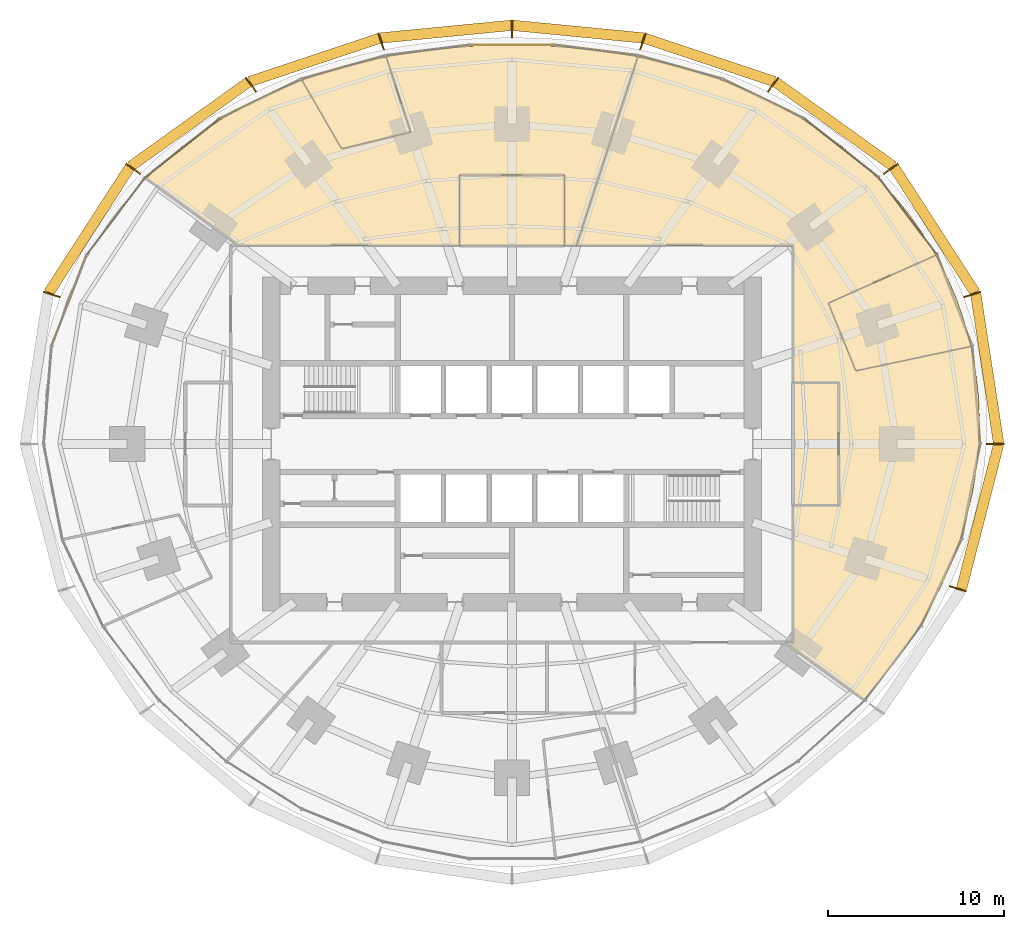
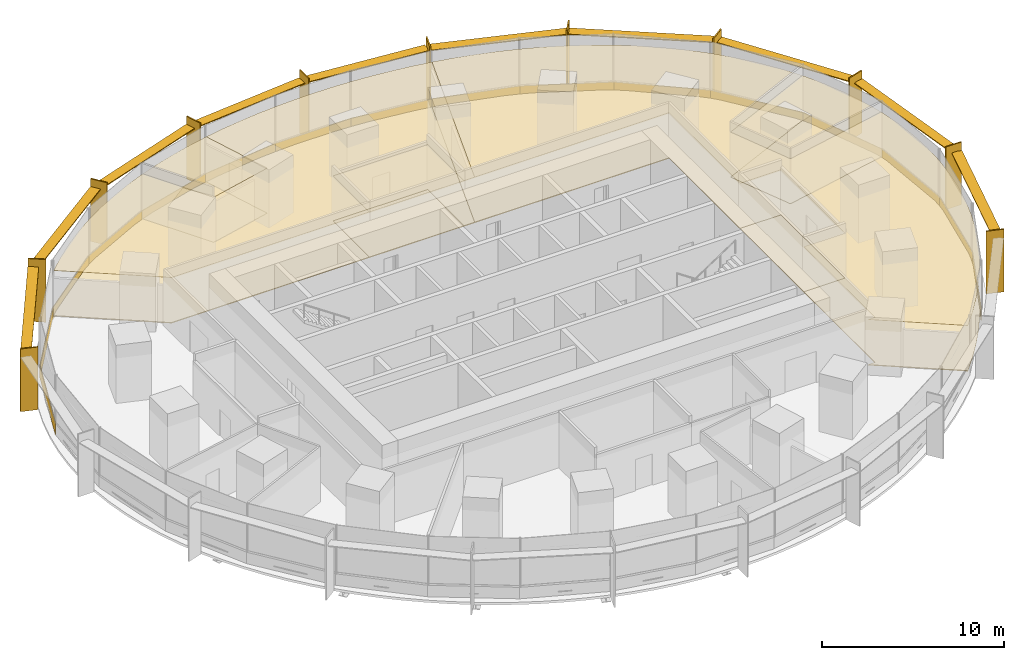
# One storey, part 15 of 15: 27 coverings, 21 shading devices.
"""IFC4 building model written with IfcOpenShell, lengths in metres."""

import ifcopenshell
import ifcopenshell.guid

model = None  # the IFC model being written
_history = None  # IfcOwnerHistory: only IFC2X3 demands one
_inside = {}  # id of a spatial element -> (the spatial element, [elements in it])
_under = {}  # id of a project, library or spatial element -> (it, [spatial elements below it])
_declared = {}  # id of a project -> (the project, [libraries it declares])
_typed = {}  # id of a type object -> (the type object, [elements of that type])
_made_of = {}  # id of a material, layer set ... -> (it, [elements and type objects made of it])


def new_model(schema):
    """Start an empty IFC model of exactly this schema.

    Asked for "IFC4X3", IfcOpenShell would pick the latest addendum, in which some entities
    have other attributes; the version numbers below select the first issue.
    IFC2X3 requires an IfcOwnerHistory on every rooted entity: one is made here for all.
    """
    global model, _history
    if schema == "IFC4X3":
        model = ifcopenshell.file(schema_version=(4, 3, 0, 0))
    else:
        model = ifcopenshell.file(schema=schema)
    _inside.clear()
    _under.clear()
    _declared.clear()
    _typed.clear()
    _made_of.clear()
    _history = None
    if model.schema == "IFC2X3":
        org = make("IfcOrganization", Name="unknown")
        user = make(
            "IfcPersonAndOrganization",
            ThePerson=make("IfcPerson", FamilyName="unknown"),
            TheOrganization=org,
        )
        app = make(
            "IfcApplication",
            ApplicationDeveloper=org,
            Version="unknown",
            ApplicationFullName="unknown",
            ApplicationIdentifier="unknown",
        )
        _history = make(
            "IfcOwnerHistory",
            OwningUser=user,
            OwningApplication=app,
            ChangeAction="ADDED",
            CreationDate=0,
        )
    return model


def make(cls, **values):
    """One entity of the class cls with the attributes given. An attribute that is None is left unset."""
    return model.create_entity(
        cls, **{name: value for name, value in values.items() if value is not None}
    )


def rooted(cls, **values):
    """An entity with a GlobalId (a new one), such as an element, a storey or a relation."""
    return make(cls, GlobalId=ifcopenshell.guid.new(), OwnerHistory=_history, **values)


def si_unit(unit_type, name, prefix=None):
    """IfcSIUnit, for example si_unit("LENGTHUNIT", "METRE", prefix="MILLI")."""
    return make("IfcSIUnit", UnitType=unit_type, Prefix=prefix, Name=name)


def assignment(units):
    """IfcUnitAssignment: the units of a project."""
    return None if units is None else make("IfcUnitAssignment", Units=units)


def point(xyz):
    """IfcCartesianPoint."""
    return None if xyz is None else make("IfcCartesianPoint", Coordinates=xyz)


def direction(xyz):
    """IfcDirection."""
    return None if xyz is None else make("IfcDirection", DirectionRatios=xyz)


def frame(location, z_axis=None, x_axis=None):
    """IfcAxis2Placement3D, a coordinate frame: its origin and axes. An axis left out is left unset."""
    return make(
        "IfcAxis2Placement3D",
        Location=point(location),
        Axis=direction(z_axis),
        RefDirection=direction(x_axis),
    )


def frame_2d(location, x_axis=None):
    """IfcAxis2Placement2D, a coordinate frame in the plane: its origin and x axis."""
    return make(
        "IfcAxis2Placement2D", Location=point(location), RefDirection=direction(x_axis)
    )


def origin():
    """The frame at (0, 0, 0) with its axes left unset."""
    return frame((0.0, 0.0, 0.0))


def origin_2d():
    """The frame at (0, 0) in the plane with its x axis left unset."""
    return frame_2d((0.0, 0.0))


def place(relative_to, where):
    """IfcLocalPlacement: puts the frame where relative to a parent placement (None: the world)."""
    return make(
        "IfcLocalPlacement", PlacementRelTo=relative_to, RelativePlacement=where
    )


def context(
    kind, dimensions, precision=None, world=None, true_north=None, identifier=None
):
    """IfcGeometricRepresentationContext, for example the 3D "Model" context."""
    return make(
        "IfcGeometricRepresentationContext",
        ContextIdentifier=identifier,
        ContextType=kind,
        CoordinateSpaceDimension=dimensions,
        Precision=precision,
        WorldCoordinateSystem=world,
        TrueNorth=true_north,
    )


def subcontext(parent, identifier, kind, view, scale=None):
    """IfcGeometricRepresentationSubContext, for example "Body" below "Model"."""
    return make(
        "IfcGeometricRepresentationSubContext",
        ContextIdentifier=identifier,
        ContextType=kind,
        ParentContext=parent,
        TargetScale=scale,
        TargetView=view,
    )


def project(units=None, contexts=None):
    """IfcProject with its units and contexts."""
    return rooted(
        "IfcProject",
        Name="project",
        RepresentationContexts=contexts,
        UnitsInContext=assignment(units),
    )


def spatial(cls, under=None, at=None, **own):
    """A site, building, storey or space (cls), placed at a placement, below another one or the project."""
    s = rooted(cls, ObjectPlacement=at, **own)
    if under is not None:
        _under.setdefault(under.id(), (under, []))[1].append(s)
    return s


def polyline(points):
    """IfcPolyline through the points."""
    return make("IfcPolyline", Points=[point(p) for p in points])


def profile(cls, at=None, kind="AREA", **sizes):
    """A parametric profile (cls). Its sizes go by their IFC names, for example OverallWidth=200.0."""
    return make(cls, ProfileType=kind, Position=at, **sizes)


def rectangle(**sizes):
    """IfcRectangleProfileDef."""
    return profile("IfcRectangleProfileDef", **sizes)


def outline(outer, holes=None, kind="AREA"):
    """IfcArbitraryClosedProfileDef: a profile drawn as a closed curve; with holes, ...WithVoids."""
    if holes is None:
        return make("IfcArbitraryClosedProfileDef", ProfileType=kind, OuterCurve=outer)
    return make(
        "IfcArbitraryProfileDefWithVoids",
        ProfileType=kind,
        OuterCurve=outer,
        InnerCurves=holes,
    )


def extrude(swept, where, along, depth):
    """IfcExtrudedAreaSolid: the profile swept, set in the frame where, extruded along a direction by depth."""
    return make(
        "IfcExtrudedAreaSolid",
        SweptArea=swept,
        Position=where,
        ExtrudedDirection=direction(along),
        Depth=depth,
    )


def shape(context_of_items, identifier, shape_type, items):
    """IfcShapeRepresentation: the items that make up one representation, for example the "Body"."""
    return make(
        "IfcShapeRepresentation",
        ContextOfItems=context_of_items,
        RepresentationIdentifier=identifier,
        RepresentationType=shape_type,
        Items=items,
    )


def material(Name=None, Category=None):
    """IfcMaterial."""
    return make("IfcMaterial", Name=Name, Category=Category)


def layer(
    of_material, thickness, ventilated=None, Name=None, Category=None, Priority=None
):
    """IfcMaterialLayer: one layer of a wall or slab, of a material (None: an air gap)."""
    return make(
        "IfcMaterialLayer",
        Material=of_material,
        LayerThickness=thickness,
        IsVentilated=ventilated,
        Name=Name,
        Category=Category,
        Priority=Priority,
    )


def layer_set(layers, Name=None):
    """IfcMaterialLayerSet."""
    return make("IfcMaterialLayerSet", MaterialLayers=layers, LayerSetName=Name)


def made_of(thing, what):
    """Note that an element or type object is made of a material, layer set ...; save() writes the relation."""
    if what is not None:
        _made_of.setdefault(what.id(), (what, []))[1].append(thing)
    return thing


def type_object(cls, material=None, **own):
    """A type object (cls), such as IfcWallType, which elements share."""
    return made_of(rooted(cls, **own), material)


def element(
    cls,
    number,
    at=None,
    inside=None,
    cuts=None,
    type_object=None,
    material=None,
    context=None,
    identifier="Body",
    shape_type=None,
    held_by="IfcProductDefinitionShape",
    body=None,
    shapes=None,
    **own,
):
    """One element of the class cls, such as IfcWall. Its Tag is "e" and its number.

    at: its placement. inside: the storey or other place that contains it. cuts: it is an
    opening in that element (IfcRelVoidsElement). A single representation is given by context,
    identifier, shape_type and body (its items); several are given by shapes. held_by: the class
    of the entity that holds the representations. save() writes the other relations.
    """
    e = rooted(cls, Tag="e%d" % number, ObjectPlacement=at, **own)
    if body is not None:
        shapes = [shape(context, identifier, shape_type, body)]
    if shapes is not None:
        e.Representation = make(held_by, Representations=shapes)
    if inside is not None:
        _inside.setdefault(inside.id(), (inside, []))[1].append(e)
    if cuts is not None:
        rooted(
            "IfcRelVoidsElement", RelatingBuildingElement=cuts, RelatedOpeningElement=e
        )
    if type_object is not None:
        _typed.setdefault(type_object.id(), (type_object, []))[1].append(e)
    return made_of(e, material)


def aggregate(whole, parts):
    """IfcRelAggregates: a whole, such as a stair, and the parts it consists of."""
    return rooted("IfcRelAggregates", RelatingObject=whole, RelatedObjects=parts)


def save(model, path):
    """Write the relations noted so far, then the file.

    IfcRelAggregates (storeys below a building ...), IfcRelContainedInSpatialStructure (elements
    in a storey), IfcRelDefinesByType, IfcRelAssociatesMaterial and IfcRelDeclares: one each for
    every whole, place, type object, material and project.
    """
    for whole, parts in _under.values():
        aggregate(whole, parts)
    for where, things in _inside.values():
        rooted(
            "IfcRelContainedInSpatialStructure",
            RelatedElements=things,
            RelatingStructure=where,
        )
    for kind, things in _typed.values():
        rooted("IfcRelDefinesByType", RelatedObjects=things, RelatingType=kind)
    for what, things in _made_of.values():
        rooted("IfcRelAssociatesMaterial", RelatedObjects=things, RelatingMaterial=what)
    for by, libraries in _declared.values():
        rooted("IfcRelDeclares", RelatingContext=by, RelatedDefinitions=libraries)
    model.write(path)


model = new_model("IFC4")

# Units and contexts
model_context = context("Model", 3, precision=1e-05, world=origin(), true_north=direction((0.0, 1.0)))
body_context = subcontext(model_context, "Body", "Model", "MODEL_VIEW")
ifc_project = project(units=[si_unit("LENGTHUNIT", "METRE"), si_unit("AREAUNIT", "SQUARE_METRE"), si_unit("VOLUMEUNIT", "CUBIC_METRE"), si_unit("PLANEANGLEUNIT", "RADIAN"), si_unit("MASSUNIT", "GRAM", prefix="KILO")], contexts=[model_context])

# Site, building, storey
site_placement = place(None, origin())
site = spatial("IfcSite", under=ifc_project, at=site_placement, CompositionType="ELEMENT")
building_placement = place(site_placement, origin())
building = spatial("IfcBuilding", under=site, at=building_placement, Name="Marramba Exchange Tower", CompositionType="ELEMENT")
storey_placement = place(building_placement, frame((0.0, 0.0, 65.800048828125)))
storey = spatial("IfcBuildingStorey", under=building, at=storey_placement, Name="L15", CompositionType="ELEMENT", Elevation=65.800048828125)

# Shading devices
ifc_material_1 = material(Name="Aluminium blade, timber-look bronze finish", Category="wood")
ifc_layer_1 = layer(ifc_material_1, 0.080078125)
ifc_layer_set_1 = layer_set([ifc_layer_1], Name="Floor-edge blade 1000x80")
shading_device_type_1 = type_object("IfcShadingDeviceType", Name="Floor-edge blade 1000x80", PredefinedType="USERDEFINED", material=ifc_layer_set_1)
for number, where, z_axis, x_axis, name in (
    (1, (27.5, 0.0, -0.16015625), (0.0, 0.0, 1.0), (1.0, 0.0, 0.0), "Floor-edge blade FB1 L15 TC01"),
    (2, (26.193115234375, 8.5107421875, -0.16015625), (0.0, 0.0, 1.0), (0.951056516295, 0.309016994375, 0.0), "Floor-edge blade FB1 L15 TC02"),
    (3, (21.56298828125, 15.66650390625, -0.16015625), (0.0, 0.0, 1.0), (0.809016994375, 0.587785252292, 0.0), "Floor-edge blade FB1 L15 TC03"),
    (4, (14.857666015625, 20.449951171875, -0.16015625), (0.0, 0.0, 1.0), (0.587785252292, 0.809016994375, 0.0), "Floor-edge blade FB1 L15 TC04"),
    (5, (7.444091796875, 22.910888671875, -0.16015625), (0.0, 0.0, 1.0), (0.309016994375, 0.951056516295, 0.0), "Floor-edge blade FB1 L15 TC05"),
    (6, (0.0, 23.6279296875, -0.16015625), (0.0, 0.0, 1.0), (0.0, 1.0, 0.0), "Floor-edge blade FB1 L15 TC06"),
    (7, (-7.444091796875, 22.910888671875, -0.16015625), (0.0, 0.0, 1.0), (-0.309016994375, 0.951056516295, 0.0), "Floor-edge blade FB1 L15 TC07"),
    (8, (-14.857666015625, 20.449951171875, -0.16015625), (0.0, 0.0, 1.0), (-0.587785252292, 0.809016994375, 0.0), "Floor-edge blade FB1 L15 TC08"),
    (9, (-21.56298828125, 15.66650390625, -0.16015625), (0.0, 0.0, 1.0), (-0.809016994375, 0.587785252292, 0.0), "Floor-edge blade FB1 L15 TC09"),
    (10, (-26.193115234375, 8.5107421875, -0.16015625), (0.0, 0.0, 1.0), (-0.951056516295, 0.309016994375, 0.0), "Floor-edge blade FB1 L15 TC10"),
    (11, (25.3740234375, -8.24462890625, -0.16015625), (0.0, 0.0, 1.0), (0.951056516295, -0.309016994375, 0.0), "Floor-edge blade FB1 L15 TC20"),
):
    element("IfcShadingDevice", number, at=place(storey_placement, frame(where, z_axis=z_axis, x_axis=x_axis)), inside=storey, type_object=shading_device_type_1, Name=name, ObjectType="FIN", PredefinedType="USERDEFINED", context=body_context, shape_type="SweptSolid", body=[
        extrude(rectangle(XDim=1.0, YDim=0.080078125, at=origin_2d()), origin(), (0.0, 0.0, 1.0), 4.199951171875),
    ])

# Coverings
ifc_material_2 = material(Name="Steel raised access floor panels", Category="steel")
ifc_layer_2 = layer(ifc_material_2, 0.050048828125)
ifc_layer_set_2 = layer_set([ifc_layer_2], Name="Raised access floor 300")
covering_type_1 = type_object("IfcCoveringType", Name="Raised access floor 300", PredefinedType="FLOORING", material=ifc_layer_set_2)
covering_1_placement = place(storey_placement, frame((0.0, 0.0, 0.25)))
element("IfcCovering", 12, at=covering_1_placement, inside=storey, type_object=covering_type_1, Name="Raised access floor RAF1 L15 Trading Floor 1", PredefinedType="FLOORING", context=body_context, shape_type="SweptSolid", body=[
    extrude(outline(polyline([(-20.810791015625, 15.119873046875), (-19.8251953125, 16.05419921875), (-18.791259765625, 16.919677734375), (-17.71630859375, 17.71630859375), (-16.60693359375, 18.44384765625), (-15.4697265625, 19.103759765625), (-14.31103515625, 19.697509765625), (-13.135986328125, 20.2275390625), (-11.94921875, 20.69677734375), (-9.69921875, 16.7998046875), (-5.76611328125, 17.74658203125), (-7.15673828125, 22.0263671875), (-5.95849609375, 22.23779296875), (-4.7626953125, 22.406982421875), (-3.5693359375, 22.535888671875), (-2.378173828125, 22.62646484375), (-1.188720703125, 22.68017578125), (0.0, 22.697998046875), (1.188720703125, 22.68017578125), (2.378173828125, 22.62646484375), (3.5693359375, 22.535888671875), (4.7626953125, 22.406982421875), (5.95849609375, 22.23779296875), (7.15673828125, 22.0263671875), (3.671630859375, 11.300048828125), (3.0, 11.300048828125), (3.0, 15.300048828125), (-3.0, 15.300048828125), (-3.0, 11.300048828125), (-15.552978515625, 11.300048828125), (-20.810791015625, 15.119873046875)])), origin(), (0.0, 0.0, 1.0), 0.050048828125),
])
covering_2_placement = place(storey_placement, frame((0.0, 0.0, 0.25)))
element("IfcCovering", 13, at=covering_2_placement, inside=storey, type_object=covering_type_1, Name="Raised access floor RAF1 L15 Trading Floor 4", PredefinedType="FLOORING", context=body_context, shape_type="SweptSolid", body=[
    extrude(outline(polyline([(16.0, -3.5), (18.60009765625, -3.5), (18.60009765625, 3.5), (16.0, 3.5), (16.0, 11.300048828125), (3.671630859375, 11.300048828125), (5.06201171875, 15.579345703125), (7.15673828125, 22.0263671875), (8.356689453125, 21.76953125), (9.556640625, 21.464599609375), (10.755126953125, 21.10791015625), (11.94921875, 20.69677734375), (13.135986328125, 20.2275390625), (14.31103515625, 19.697509765625), (15.4697265625, 19.103759765625), (16.60693359375, 18.44384765625), (17.71630859375, 17.71630859375), (18.791259765625, 16.919677734375), (19.8251953125, 16.05419921875), (20.810791015625, 15.119873046875), (21.740478515625, 14.118408203125), (22.607177734375, 13.05224609375), (23.40380859375, 11.9248046875), (24.12353515625, 10.740478515625), (18.002685546875, 8.015380859375), (19.569580078125, 4.15966796875), (26.123291015625, 5.552734375), (26.3837890625, 4.1787109375), (26.544921875, 2.7900390625), (26.6064453125, 1.394287109375), (26.570068359375, 0.0), (26.43798828125, -1.385498046875), (26.213623046875, -2.755126953125), (25.9013671875, -4.102294921875), (25.50634765625, -5.421630859375), (25.033935546875, -6.707763671875), (24.489501953125, -7.95703125), (23.879150390625, -9.166259765625), (23.208251953125, -10.3330078125), (22.482177734375, -11.455322265625), (21.7060546875, -12.531982421875), (20.88427734375, -13.5625), (20.020751953125, -14.5458984375), (16.2412109375, -11.800048828125), (15.552978515625, -11.300048828125), (16.0, -11.300048828125), (16.0, -3.5)])), origin(), (0.0, 0.0, 1.0), 0.050048828125),
])
covering_3_placement = place(storey_placement, frame((0.0, 0.0, 0.25)))
element("IfcCovering", 14, at=covering_3_placement, inside=storey, type_object=covering_type_1, Name="Raised access floor RAF1 L15 Firm Principal Office 1", PredefinedType="FLOORING", context=body_context, shape_type="SweptSolid", body=[
    extrude(outline(polyline([(-10.945068359375, 21.04248046875), (-10.755126953125, 21.10791015625), (-9.556640625, 21.464599609375), (-9.022705078125, 21.60009765625), (-8.356689453125, 21.76953125), (-7.15673828125, 22.0263671875), (-5.76611328125, 17.74658203125), (-9.69921875, 16.7998046875), (-11.94921875, 20.69677734375), (-10.945068359375, 21.04248046875)])), origin(), (0.0, 0.0, 1.0), 0.050048828125),
])
covering_4_placement = place(storey_placement, frame((0.0, 0.0, 0.25)))
element("IfcCovering", 15, at=covering_4_placement, inside=storey, type_object=covering_type_1, Name="Raised access floor RAF1 L15 Firm Principal Office 4", PredefinedType="FLOORING", context=body_context, shape_type="SweptSolid", body=[
    extrude(outline(polyline([(24.63134765625, 9.75439453125), (24.76025390625, 9.50439453125), (25.30859375, 8.22314453125), (25.763916015625, 6.9033203125), (26.123291015625, 5.552734375), (19.569580078125, 4.15966796875), (18.002685546875, 8.015380859375), (24.12353515625, 10.740478515625), (24.63134765625, 9.75439453125)])), origin(), (0.0, 0.0, 1.0), 0.050048828125),
])
covering_5_placement = place(storey_placement, frame((0.0, 0.0, 0.25)))
element("IfcCovering", 16, at=covering_5_placement, inside=storey, type_object=covering_type_1, Name="Raised access floor RAF1 L15 Data Room 1", PredefinedType="FLOORING", context=body_context, shape_type="SweptSolid", body=[
    extrude(outline(polyline([(18.60009765625, -3.5), (16.0, -3.5), (16.0, 3.5), (18.60009765625, 3.5), (18.60009765625, -3.5)])), origin(), (0.0, 0.0, 1.0), 0.050048828125),
])
covering_6_placement = place(storey_placement, frame((0.0, 0.0, 0.25)))
element("IfcCovering", 17, at=covering_6_placement, inside=storey, type_object=covering_type_1, Name="Raised access floor RAF1 L15 Meeting Room 1", PredefinedType="FLOORING", context=body_context, shape_type="SweptSolid", body=[
    extrude(outline(polyline([(3.0, 11.300048828125), (-3.0, 11.300048828125), (-3.0, 15.300048828125), (3.0, 15.300048828125), (3.0, 11.300048828125)])), origin(), (0.0, 0.0, 1.0), 0.050048828125),
])

# Shading devices
ifc_material_3 = material(Name="Aluminium sunshade, bronze anodised", Category="aluminium")
ifc_layer_3 = layer(ifc_material_3, 0.06005859375)
ifc_layer_set_3 = layer_set([ifc_layer_3], Name="SUNSHADE blade 600x60")
shading_device_type_2 = type_object("IfcShadingDeviceType", Name="SUNSHADE blade 600x60", PredefinedType="USERDEFINED", material=ifc_layer_set_3)
shading_device_1_placement = place(storey_placement, frame((27.04150390625, 4.2861328125, 3.4599609375), z_axis=(0.0, 0.0, 1.0), x_axis=(-0.151825486228, 0.988407315701, 0.0)))
element("IfcShadingDevice", 18, at=shading_device_1_placement, inside=storey, type_object=shading_device_type_2, Name="Sunshade SS1 L15 bay 01", ObjectType="SUNSHADE", PredefinedType="USERDEFINED", context=body_context, shape_type="SweptSolid", body=[
    extrude(rectangle(XDim=8.593017578125, YDim=0.60009765625, at=origin_2d()), origin(), (0.0, 0.0, 1.0), 0.06005859375),
])
shading_device_2_placement = place(storey_placement, frame((24.053955078125, 12.17822265625, 3.4599609375), z_axis=(0.0, 0.0, 1.0), x_axis=(-0.542596596948, 0.839993412462, 0.0)))
element("IfcShadingDevice", 19, at=shading_device_2_placement, inside=storey, type_object=shading_device_type_2, Name="Sunshade SS1 L15 bay 02", ObjectType="SUNSHADE", PredefinedType="USERDEFINED", context=body_context, shape_type="SweptSolid", body=[
    extrude(rectangle(XDim=8.50537109375, YDim=0.60009765625, at=origin_2d()), origin(), (0.0, 0.0, 1.0), 0.06005859375),
])
shading_device_3_placement = place(storey_placement, frame((18.35009765625, 18.19775390625, 3.4599609375), z_axis=(0.0, 0.0, 1.0), x_axis=(-0.813362978246, 0.581756534659, 0.0)))
element("IfcShadingDevice", 20, at=shading_device_3_placement, inside=storey, type_object=shading_device_type_2, Name="Sunshade SS1 L15 bay 03", ObjectType="SUNSHADE", PredefinedType="USERDEFINED", context=body_context, shape_type="SweptSolid", body=[
    extrude(rectangle(XDim=8.218505859375, YDim=0.60009765625, at=origin_2d()), origin(), (0.0, 0.0, 1.0), 0.06005859375),
])
shading_device_4_placement = place(storey_placement, frame((11.24072265625, 21.8564453125, 3.4599609375), z_axis=(0.0, 0.0, 1.0), x_axis=(-0.948697789537, 0.316184288235, 0.0)))
element("IfcShadingDevice", 21, at=shading_device_4_placement, inside=storey, type_object=shading_device_type_2, Name="Sunshade SS1 L15 bay 04", ObjectType="SUNSHADE", PredefinedType="USERDEFINED", context=body_context, shape_type="SweptSolid", body=[
    extrude(rectangle(XDim=7.793212890625, YDim=0.60009765625, at=origin_2d()), origin(), (0.0, 0.0, 1.0), 0.06005859375),
])
for number, where, z_axis, x_axis, name in (
    (22, (3.7529296875, 23.464599609375, 3.4599609375), (0.0, 0.0, 1.0), (-0.995342876176, 0.096397919302, 0.0), "Sunshade SS1 L15 bay 05"),
    (23, (-3.7529296875, 23.464599609375, 3.4599609375), (0.0, 0.0, 1.0), (-0.995342876176, -0.096397919302, 0.0), "Sunshade SS1 L15 bay 06"),
):
    element("IfcShadingDevice", number, at=place(storey_placement, frame(where, z_axis=z_axis, x_axis=x_axis)), inside=storey, type_object=shading_device_type_2, Name=name, ObjectType="SUNSHADE", PredefinedType="USERDEFINED", context=body_context, shape_type="SweptSolid", body=[
        extrude(rectangle(XDim=7.461181640625, YDim=0.60009765625, at=origin_2d()), origin(), (0.0, 0.0, 1.0), 0.06005859375),
    ])
shading_device_5_placement = place(storey_placement, frame((-11.24072265625, 21.8564453125, 3.4599609375), z_axis=(0.0, 0.0, 1.0), x_axis=(-0.948697789537, -0.316184288235, 0.0)))
element("IfcShadingDevice", 24, at=shading_device_5_placement, inside=storey, type_object=shading_device_type_2, Name="Sunshade SS1 L15 bay 07", ObjectType="SUNSHADE", PredefinedType="USERDEFINED", context=body_context, shape_type="SweptSolid", body=[
    extrude(rectangle(XDim=7.793212890625, YDim=0.60009765625, at=origin_2d()), origin(), (0.0, 0.0, 1.0), 0.06005859375),
])
shading_device_6_placement = place(storey_placement, frame((-18.35009765625, 18.19775390625, 3.4599609375), z_axis=(0.0, 0.0, 1.0), x_axis=(-0.813362978246, -0.581756534659, 0.0)))
element("IfcShadingDevice", 25, at=shading_device_6_placement, inside=storey, type_object=shading_device_type_2, Name="Sunshade SS1 L15 bay 08", ObjectType="SUNSHADE", PredefinedType="USERDEFINED", context=body_context, shape_type="SweptSolid", body=[
    extrude(rectangle(XDim=8.218505859375, YDim=0.60009765625, at=origin_2d()), origin(), (0.0, 0.0, 1.0), 0.06005859375),
])
shading_device_7_placement = place(storey_placement, frame((-24.053955078125, 12.17822265625, 3.4599609375), z_axis=(0.0, 0.0, 1.0), x_axis=(-0.542596596948, -0.839993412462, 0.0)))
element("IfcShadingDevice", 26, at=shading_device_7_placement, inside=storey, type_object=shading_device_type_2, Name="Sunshade SS1 L15 bay 09", ObjectType="SUNSHADE", PredefinedType="USERDEFINED", context=body_context, shape_type="SweptSolid", body=[
    extrude(rectangle(XDim=8.50537109375, YDim=0.60009765625, at=origin_2d()), origin(), (0.0, 0.0, 1.0), 0.06005859375),
])
shading_device_8_placement = place(storey_placement, frame((26.632080078125, -4.153076171875, 3.4599609375), z_axis=(0.0, 0.0, 1.0), x_axis=(0.249024641331, 0.968497149201, 0.0)))
element("IfcShadingDevice", 27, at=shading_device_8_placement, inside=storey, type_object=shading_device_type_2, Name="Sunshade SS1 L15 bay 20", ObjectType="SUNSHADE", PredefinedType="USERDEFINED", context=body_context, shape_type="SweptSolid", body=[
    extrude(rectangle(XDim=8.49658203125, YDim=0.60009765625, at=origin_2d()), origin(), (0.0, 0.0, 1.0), 0.06005859375),
])

# Coverings
ifc_material_4 = material(Name="Aluminium spandrel panel, bronze anodised, insulated", Category="aluminium")
ifc_layer_4 = layer(ifc_material_4, 0.050048828125)
ifc_layer_set_4 = layer_set([ifc_layer_4], Name="Spandrel panel 800")
covering_type_2 = type_object("IfcCoveringType", Name="Spandrel panel 800", PredefinedType="CLADDING", material=ifc_layer_set_4)
covering_7_placement = place(storey_placement, frame((26.42578125, 2.78466796875, 0.0), z_axis=(0.0, 0.0, 1.0), x_axis=(-0.080275227657, 0.996772736297, 0.0)))
element("IfcCovering", 28, at=covering_7_placement, inside=storey, type_object=covering_type_2, Name="Spandrel panel SP1 L15 F01", PredefinedType="CLADDING", context=body_context, shape_type="SweptSolid", body=[
    extrude(rectangle(XDim=5.58740234375, YDim=0.050048828125, at=origin_2d()), origin(), (0.0, 0.0, 1.0), 0.800048828125),
])
covering_8_placement = place(storey_placement, frame((25.198974609375, 8.171142578125, 0.0), z_axis=(0.0, 0.0, 1.0), x_axis=(-0.359525512701, 0.933135255854, 0.0)))
element("IfcCovering", 29, at=covering_8_placement, inside=storey, type_object=covering_type_2, Name="Spandrel panel SP1 L15 F02", PredefinedType="CLADDING", context=body_context, shape_type="SweptSolid", body=[
    extrude(rectangle(XDim=5.57666015625, YDim=0.050048828125, at=origin_2d()), origin(), (0.0, 0.0, 1.0), 0.800048828125),
])
covering_9_placement = place(storey_placement, frame((22.535888671875, 12.969970703125, 0.0), z_axis=(0.0, 0.0, 1.0), x_axis=(-0.602989761876, 0.797748924834, 0.0)))
element("IfcCovering", 30, at=covering_9_placement, inside=storey, type_object=covering_type_2, Name="Spandrel panel SP1 L15 F03", PredefinedType="CLADDING", context=body_context, shape_type="SweptSolid", body=[
    extrude(rectangle(XDim=5.5078125, YDim=0.050048828125, at=origin_2d()), origin(), (0.0, 0.0, 1.0), 0.800048828125),
])
covering_10_placement = place(storey_placement, frame((18.767822265625, 16.8349609375, 0.0), z_axis=(0.0, 0.0, 1.0), x_axis=(-0.784087946735, 0.620649733574, 0.0)))
element("IfcCovering", 31, at=covering_10_placement, inside=storey, type_object=covering_type_2, Name="Spandrel panel SP1 L15 F04", PredefinedType="CLADDING", context=body_context, shape_type="SweptSolid", body=[
    extrude(rectangle(XDim=5.375732421875, YDim=0.050048828125, at=origin_2d()), origin(), (0.0, 0.0, 1.0), 0.800048828125),
])
covering_11_placement = place(storey_placement, frame((14.324951171875, 19.634765625, 0.0), z_axis=(0.0, 0.0, 1.0), x_axis=(-0.899963432359, 0.435965389012, 0.0)))
element("IfcCovering", 32, at=covering_11_placement, inside=storey, type_object=covering_type_2, Name="Spandrel panel SP1 L15 F05", PredefinedType="CLADDING", context=body_context, shape_type="SweptSolid", body=[
    extrude(rectangle(XDim=5.1904296875, YDim=0.050048828125, at=origin_2d()), origin(), (0.0, 0.0, 1.0), 0.800048828125),
])
covering_12_placement = place(storey_placement, frame((9.58544921875, 21.434326171875, 0.0), z_axis=(0.0, 0.0, 1.0), x_axis=(-0.963472098411, 0.267808729475, 0.0)))
element("IfcCovering", 33, at=covering_12_placement, inside=storey, type_object=covering_type_2, Name="Spandrel panel SP1 L15 F06", PredefinedType="CLADDING", context=body_context, shape_type="SweptSolid", body=[
    extrude(rectangle(XDim=4.989990234375, YDim=0.050048828125, at=origin_2d()), origin(), (0.0, 0.0, 1.0), 0.800048828125),
])
covering_13_placement = place(storey_placement, frame((4.783935546875, 22.404296875, 0.0), z_axis=(0.0, 0.0, 1.0), x_axis=(-0.992172768222, 0.124872727203, 0.0)))
element("IfcCovering", 34, at=covering_13_placement, inside=storey, type_object=covering_type_2, Name="Spandrel panel SP1 L15 F07", PredefinedType="CLADDING", context=body_context, shape_type="SweptSolid", body=[
    extrude(rectangle(XDim=4.832763671875, YDim=0.050048828125, at=origin_2d()), origin(), (0.0, 0.0, 1.0), 0.800048828125),
])
covering_14_placement = place(storey_placement, frame((0.0, 22.7060546875, 0.0), z_axis=(0.0, 0.0, 1.0), x_axis=(-1.0, 0.0, 0.0)))
element("IfcCovering", 35, at=covering_14_placement, inside=storey, type_object=covering_type_2, Name="Spandrel panel SP1 L15 F08", PredefinedType="CLADDING", context=body_context, shape_type="SweptSolid", body=[
    extrude(rectangle(XDim=4.77294921875, YDim=0.050048828125, at=origin_2d()), origin(), (0.0, 0.0, 1.0), 0.800048828125),
])
covering_15_placement = place(storey_placement, frame((-4.783935546875, 22.404296875, 0.0), z_axis=(0.0, 0.0, 1.0), x_axis=(-0.992172768222, -0.124872727203, 0.0)))
element("IfcCovering", 36, at=covering_15_placement, inside=storey, type_object=covering_type_2, Name="Spandrel panel SP1 L15 F09", PredefinedType="CLADDING", context=body_context, shape_type="SweptSolid", body=[
    extrude(rectangle(XDim=4.832763671875, YDim=0.050048828125, at=origin_2d()), origin(), (0.0, 0.0, 1.0), 0.800048828125),
])
covering_16_placement = place(storey_placement, frame((-9.58544921875, 21.434326171875, 0.0), z_axis=(0.0, 0.0, 1.0), x_axis=(-0.963472098411, -0.267808729475, 0.0)))
element("IfcCovering", 37, at=covering_16_placement, inside=storey, type_object=covering_type_2, Name="Spandrel panel SP1 L15 F10", PredefinedType="CLADDING", context=body_context, shape_type="SweptSolid", body=[
    extrude(rectangle(XDim=4.989990234375, YDim=0.050048828125, at=origin_2d()), origin(), (0.0, 0.0, 1.0), 0.800048828125),
])
covering_17_placement = place(storey_placement, frame((-14.324951171875, 19.634765625, 0.0), z_axis=(0.0, 0.0, 1.0), x_axis=(-0.899963432359, -0.435965389012, 0.0)))
element("IfcCovering", 38, at=covering_17_placement, inside=storey, type_object=covering_type_2, Name="Spandrel panel SP1 L15 F11", PredefinedType="CLADDING", context=body_context, shape_type="SweptSolid", body=[
    extrude(rectangle(XDim=5.1904296875, YDim=0.050048828125, at=origin_2d()), origin(), (0.0, 0.0, 1.0), 0.800048828125),
])
covering_18_placement = place(storey_placement, frame((-18.767822265625, 16.8349609375, 0.0), z_axis=(0.0, 0.0, 1.0), x_axis=(-0.784087946735, -0.620649733574, 0.0)))
element("IfcCovering", 39, at=covering_18_placement, inside=storey, type_object=covering_type_2, Name="Spandrel panel SP1 L15 F12", PredefinedType="CLADDING", context=body_context, shape_type="SweptSolid", body=[
    extrude(rectangle(XDim=5.375732421875, YDim=0.050048828125, at=origin_2d()), origin(), (0.0, 0.0, 1.0), 0.800048828125),
])
covering_19_placement = place(storey_placement, frame((-22.535888671875, 12.969970703125, 0.0), z_axis=(0.0, 0.0, 1.0), x_axis=(-0.602989761876, -0.797748924834, 0.0)))
element("IfcCovering", 40, at=covering_19_placement, inside=storey, type_object=covering_type_2, Name="Spandrel panel SP1 L15 F13", PredefinedType="CLADDING", context=body_context, shape_type="SweptSolid", body=[
    extrude(rectangle(XDim=5.5078125, YDim=0.050048828125, at=origin_2d()), origin(), (0.0, 0.0, 1.0), 0.800048828125),
])
covering_20_placement = place(storey_placement, frame((-25.198974609375, 8.171142578125, 0.0), z_axis=(0.0, 0.0, 1.0), x_axis=(-0.359525512701, -0.933135255854, 0.0)))
element("IfcCovering", 41, at=covering_20_placement, inside=storey, type_object=covering_type_2, Name="Spandrel panel SP1 L15 F14", PredefinedType="CLADDING", context=body_context, shape_type="SweptSolid", body=[
    extrude(rectangle(XDim=5.57666015625, YDim=0.050048828125, at=origin_2d()), origin(), (0.0, 0.0, 1.0), 0.800048828125),
])
covering_21_placement = place(storey_placement, frame((24.432861328125, -7.90185546875, 0.0), z_axis=(0.0, 0.0, 1.0), x_axis=(0.423477213559, 0.905906755464, 0.0)))
element("IfcCovering", 42, at=covering_21_placement, inside=storey, type_object=covering_type_2, Name="Spandrel panel SP1 L15 F29", PredefinedType="CLADDING", context=body_context, shape_type="SweptSolid", body=[
    extrude(rectangle(XDim=5.439208984375, YDim=0.050048828125, at=origin_2d()), origin(), (0.0, 0.0, 1.0), 0.800048828125),
])
covering_22_placement = place(storey_placement, frame((26.117431640625, -2.718994140625, 0.0), z_axis=(0.0, 0.0, 1.0), x_axis=(0.19224858127, 0.981346260501, 0.0)))
element("IfcCovering", 43, at=covering_22_placement, inside=storey, type_object=covering_type_2, Name="Spandrel panel SP1 L15 F30", PredefinedType="CLADDING", context=body_context, shape_type="SweptSolid", body=[
    extrude(rectangle(XDim=5.54150390625, YDim=0.050048828125, at=origin_2d()), origin(), (0.0, 0.0, 1.0), 0.800048828125),
])
ifc_material_5 = material(Name="Mineral fibre ceiling tiles", Category="gypsum")
ifc_layer_5 = layer(ifc_material_5, 0.02001953125)
ifc_layer_set_5 = layer_set([ifc_layer_5], Name="Suspended ceiling 20")
covering_type_3 = type_object("IfcCoveringType", Name="Suspended ceiling 20", PredefinedType="CEILING", material=ifc_layer_set_5)
covering_23_placement = place(storey_placement, frame((0.0, 0.0, 3.300048828125)))
element("IfcCovering", 44, at=covering_23_placement, inside=storey, type_object=covering_type_3, Name="Ceiling CL1 L15 Trading Floor 1", PredefinedType="CEILING", context=body_context, shape_type="SweptSolid", body=[
    extrude(outline(polyline([(-20.810791015625, 15.119873046875), (-19.8251953125, 16.05419921875), (-18.791259765625, 16.919677734375), (-17.71630859375, 17.71630859375), (-16.60693359375, 18.44384765625), (-15.4697265625, 19.103759765625), (-14.31103515625, 19.697509765625), (-13.135986328125, 20.2275390625), (-11.94921875, 20.69677734375), (-9.69921875, 16.7998046875), (-5.76611328125, 17.74658203125), (-7.15673828125, 22.0263671875), (-5.95849609375, 22.23779296875), (-4.7626953125, 22.406982421875), (-3.5693359375, 22.535888671875), (-2.378173828125, 22.62646484375), (-1.188720703125, 22.68017578125), (0.0, 22.697998046875), (1.188720703125, 22.68017578125), (2.378173828125, 22.62646484375), (3.5693359375, 22.535888671875), (4.7626953125, 22.406982421875), (5.95849609375, 22.23779296875), (7.15673828125, 22.0263671875), (3.671630859375, 11.300048828125), (3.0, 11.300048828125), (3.0, 15.300048828125), (-3.0, 15.300048828125), (-3.0, 11.300048828125), (-15.552978515625, 11.300048828125), (-20.810791015625, 15.119873046875)])), origin(), (0.0, 0.0, 1.0), 0.02001953125),
])
covering_24_placement = place(storey_placement, frame((0.0, 0.0, 3.300048828125)))
element("IfcCovering", 45, at=covering_24_placement, inside=storey, type_object=covering_type_3, Name="Ceiling CL1 L15 Trading Floor 4", PredefinedType="CEILING", context=body_context, shape_type="SweptSolid", body=[
    extrude(outline(polyline([(16.0, -3.5), (18.60009765625, -3.5), (18.60009765625, 3.5), (16.0, 3.5), (16.0, 11.300048828125), (3.671630859375, 11.300048828125), (5.06201171875, 15.579345703125), (7.15673828125, 22.0263671875), (8.356689453125, 21.76953125), (9.556640625, 21.464599609375), (10.755126953125, 21.10791015625), (11.94921875, 20.69677734375), (13.135986328125, 20.2275390625), (14.31103515625, 19.697509765625), (15.4697265625, 19.103759765625), (16.60693359375, 18.44384765625), (17.71630859375, 17.71630859375), (18.791259765625, 16.919677734375), (19.8251953125, 16.05419921875), (20.810791015625, 15.119873046875), (21.740478515625, 14.118408203125), (22.607177734375, 13.05224609375), (23.40380859375, 11.9248046875), (24.12353515625, 10.740478515625), (18.002685546875, 8.015380859375), (19.569580078125, 4.15966796875), (26.123291015625, 5.552734375), (26.3837890625, 4.1787109375), (26.544921875, 2.7900390625), (26.6064453125, 1.394287109375), (26.570068359375, 0.0), (26.43798828125, -1.385498046875), (26.213623046875, -2.755126953125), (25.9013671875, -4.102294921875), (25.50634765625, -5.421630859375), (25.033935546875, -6.707763671875), (24.489501953125, -7.95703125), (23.879150390625, -9.166259765625), (23.208251953125, -10.3330078125), (22.482177734375, -11.455322265625), (21.7060546875, -12.531982421875), (20.88427734375, -13.5625), (20.020751953125, -14.5458984375), (16.2412109375, -11.800048828125), (15.552978515625, -11.300048828125), (16.0, -11.300048828125), (16.0, -3.5)])), origin(), (0.0, 0.0, 1.0), 0.02001953125),
])
covering_25_placement = place(storey_placement, frame((0.0, 0.0, 3.300048828125)))
element("IfcCovering", 46, at=covering_25_placement, inside=storey, type_object=covering_type_3, Name="Ceiling CL1 L15 Firm Principal Office 1", PredefinedType="CEILING", context=body_context, shape_type="SweptSolid", body=[
    extrude(outline(polyline([(-10.945068359375, 21.04248046875), (-10.755126953125, 21.10791015625), (-9.556640625, 21.464599609375), (-9.022705078125, 21.60009765625), (-8.356689453125, 21.76953125), (-7.15673828125, 22.0263671875), (-5.76611328125, 17.74658203125), (-9.69921875, 16.7998046875), (-11.94921875, 20.69677734375), (-10.945068359375, 21.04248046875)])), origin(), (0.0, 0.0, 1.0), 0.02001953125),
])
covering_26_placement = place(storey_placement, frame((0.0, 0.0, 3.300048828125)))
element("IfcCovering", 47, at=covering_26_placement, inside=storey, type_object=covering_type_3, Name="Ceiling CL1 L15 Firm Principal Office 4", PredefinedType="CEILING", context=body_context, shape_type="SweptSolid", body=[
    extrude(outline(polyline([(24.63134765625, 9.75439453125), (24.76025390625, 9.50439453125), (25.30859375, 8.22314453125), (25.763916015625, 6.9033203125), (26.123291015625, 5.552734375), (19.569580078125, 4.15966796875), (18.002685546875, 8.015380859375), (24.12353515625, 10.740478515625), (24.63134765625, 9.75439453125)])), origin(), (0.0, 0.0, 1.0), 0.02001953125),
])
covering_27_placement = place(storey_placement, frame((0.0, 0.0, 3.300048828125)))
element("IfcCovering", 48, at=covering_27_placement, inside=storey, type_object=covering_type_3, Name="Ceiling CL1 L15 Meeting Room 1", PredefinedType="CEILING", context=body_context, shape_type="SweptSolid", body=[
    extrude(outline(polyline([(3.0, 11.300048828125), (-3.0, 11.300048828125), (-3.0, 15.300048828125), (3.0, 15.300048828125), (3.0, 11.300048828125)])), origin(), (0.0, 0.0, 1.0), 0.02001953125),
])

save(model, "model.ifc")
